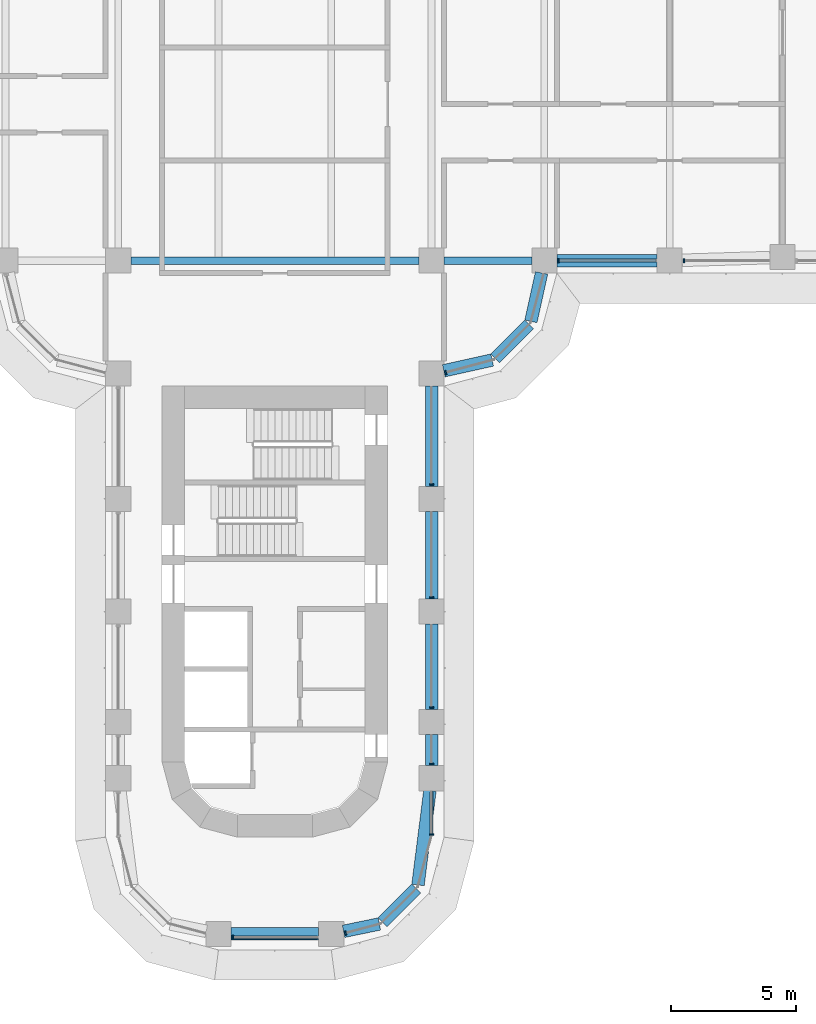
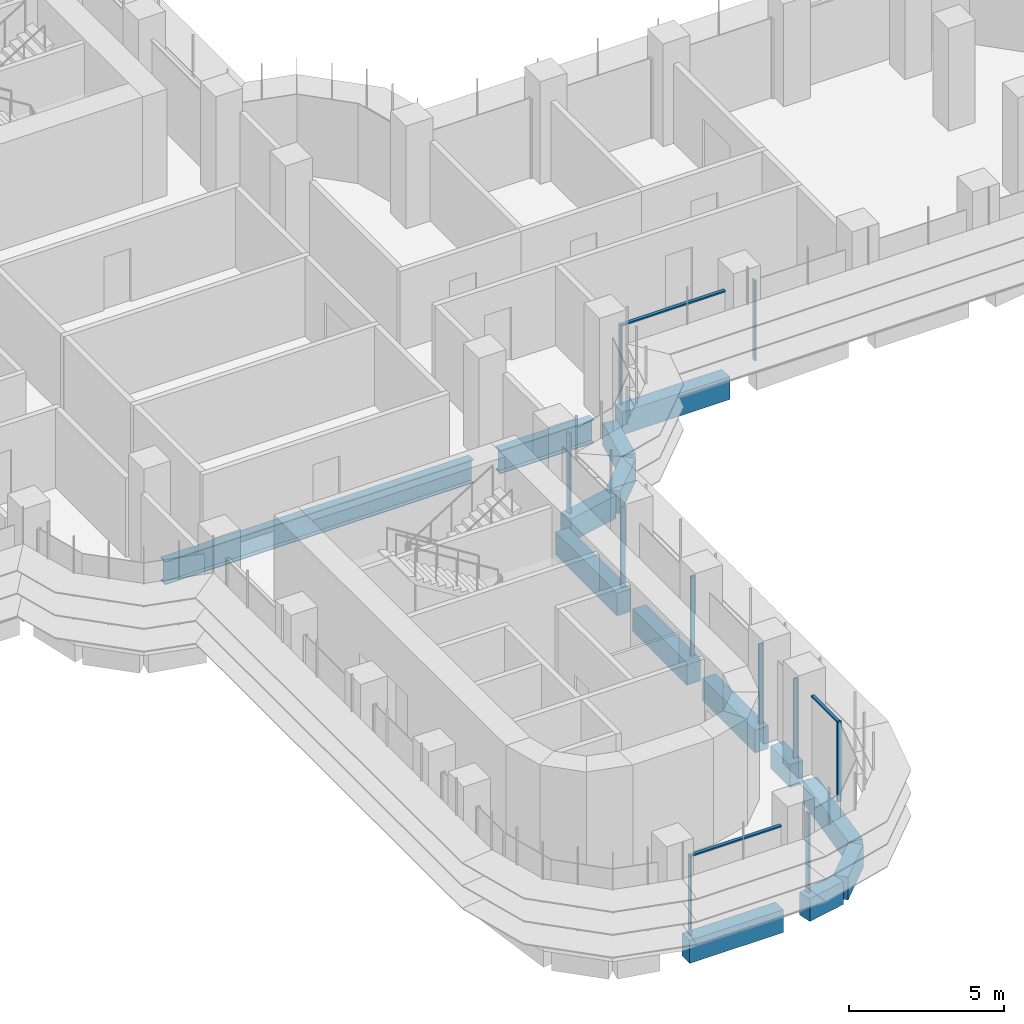
# One storey, part 4 of 23: 14 beams, 13 members, 5 elements without a shape of their own.
"""IFC4 building model written with IfcOpenShell, lengths in metres."""

from ifc_helpers import new_model, si_unit, direction, frame, origin, origin_2d, place, context, subcontext, project, spatial, polyline, rectangle, i_section, outline, extrude, source, transform, mapped, material, material_profile, profile_set, type_object, element, aggregate, save


model = new_model("IFC4")

# Units and contexts
model_context = context("Model", 3, precision=1e-05, world=origin(), true_north=direction((0.0, 1.0)))
body_context = subcontext(model_context, "Body", "Model", "MODEL_VIEW")
ifc_project = project(units=[si_unit("LENGTHUNIT", "METRE"), si_unit("AREAUNIT", "SQUARE_METRE"), si_unit("VOLUMEUNIT", "CUBIC_METRE"), si_unit("PLANEANGLEUNIT", "RADIAN"), si_unit("MASSUNIT", "GRAM", prefix="KILO")], contexts=[model_context])

# Site, building, storey
site_placement = place(None, origin())
site = spatial("IfcSite", under=ifc_project, at=site_placement, CompositionType="ELEMENT")
building_placement = place(site_placement, origin())
building = spatial("IfcBuilding", under=site, at=building_placement, Name="Zarbagh Exchange Tower", CompositionType="ELEMENT")
storey_placement = place(building_placement, frame((0.0, 0.0, 69.0)))
storey = spatial("IfcBuildingStorey", under=building, at=storey_placement, Name="L15", CompositionType="ELEMENT", Elevation=69.0)

# Beams
ifc_material_1 = material(Name="Steel ASTM A992 Gr 50", Category="steel")
ifc_material_profile_1 = material_profile(ifc_material_1, i_section(OverallWidth=0.3046875, OverallDepth=0.91943359375, WebThickness=0.017333984375, FlangeThickness=0.02783203125, at=origin_2d()), Name="W36X170")
ifc_profile_set_1 = profile_set([ifc_material_profile_1], Name="Steel ASTM A992 Gr 50")
beam_type_1 = type_object("IfcBeamType", Name="Floor girder W36X170", PredefinedType="BEAM", material=ifc_profile_set_1)
beam_1_placement = place(storey_placement, frame((-5.75, -6.25, -0.609619140625), z_axis=(1.0, 0.0, 0.0), x_axis=(0.0, 1.0, 0.0)))
element("IfcBeam", 1, at=beam_1_placement, inside=storey, type_object=beam_type_1, Name="Steel girder", PredefinedType="BEAM", context=body_context, shape_type="SweptSolid", body=[
    extrude(i_section(OverallWidth=0.3046875, OverallDepth=0.91943359375, WebThickness=0.017333984375, FlangeThickness=0.02783203125, at=origin_2d()), origin(), (0.0, 0.0, 1.0), 11.5),
])
beam_2_placement = place(storey_placement, frame((6.75, -6.25, -0.609619140625), z_axis=(1.0, 0.0, 0.0), x_axis=(0.0, 1.0, 0.0)))
element("IfcBeam", 2, at=beam_2_placement, inside=storey, type_object=beam_type_1, Name="Steel girder", PredefinedType="BEAM", context=body_context, shape_type="SweptSolid", body=[
    extrude(i_section(OverallWidth=0.3046875, OverallDepth=0.91943359375, WebThickness=0.017333984375, FlangeThickness=0.02783203125, at=origin_2d()), origin(), (0.0, 0.0, 1.0), 3.5),
])
ifc_material_2 = material(Name="Concrete C60/75", Category="concrete")
ifc_material_profile_2 = material_profile(ifc_material_2, rectangle(XDim=0.5, YDim=0.89990234375, at=origin_2d()), Name="RC spandrel beam 500 x 900 C60/75")
ifc_profile_set_2 = profile_set([ifc_material_profile_2], Name="Concrete C60/75")
beam_type_2 = type_object("IfcBeamType", Name="RC spandrel beam 500 x 900 C60/75", PredefinedType="SPANDREL", material=ifc_profile_set_2)
beam_3_placement = place(storey_placement, frame((15.25, -6.25, -0.60009765625), z_axis=(-1.0, 0.0, 0.0), x_axis=(0.0, -1.0, 0.0)))
element("IfcBeam", 3, at=beam_3_placement, inside=storey, type_object=beam_type_2, Name="RC spandrel beam", PredefinedType="SPANDREL", context=body_context, shape_type="SweptSolid", body=[
    extrude(rectangle(XDim=0.5, YDim=0.89990234375, at=origin_2d()), origin(), (0.0, 0.0, 1.0), 4.0),
])
beam_4_placement = place(storey_placement, frame((10.64208984375, -6.73828125, -0.60009765625), z_axis=(-0.216081063242, -0.976375426825, 0.0), x_axis=(0.976375426825, -0.216081063242, 0.0)))
element("IfcBeam", 4, at=beam_4_placement, inside=storey, type_object=beam_type_2, Name="RC spandrel beam", PredefinedType="SPANDREL", context=body_context, shape_type="SweptSolid", body=[
    extrude(rectangle(XDim=0.5, YDim=0.89990234375, at=origin_2d()), origin(), (0.0, 0.0, 1.0), 1.978271484375),
])
beam_5_placement = place(storey_placement, frame((10.147216796875, -8.792724609375, -0.60009765625), z_axis=(-0.707106781187, -0.707106781187, 0.0), x_axis=(0.707106781187, -0.707106781187, 0.0)))
element("IfcBeam", 5, at=beam_5_placement, inside=storey, type_object=beam_type_2, Name="RC spandrel beam", PredefinedType="SPANDREL", context=body_context, shape_type="SweptSolid", body=[
    extrude(rectangle(XDim=0.5, YDim=0.89990234375, at=origin_2d()), origin(), (0.0, 0.0, 1.0), 1.91552734375),
])
beam_6_placement = place(storey_placement, frame((8.669921875, -10.214599609375, -0.60009765625), z_axis=(-0.976375426825, -0.216081063242, 0.0), x_axis=(0.216081063242, -0.976375426825, 0.0)))
element("IfcBeam", 6, at=beam_6_placement, inside=storey, type_object=beam_type_2, Name="RC spandrel beam", PredefinedType="SPANDREL", context=body_context, shape_type="SweptSolid", body=[
    extrude(rectangle(XDim=0.5, YDim=0.89990234375, at=origin_2d()), origin(), (0.0, 0.0, 1.0), 1.978271484375),
])
beam_7_placement = place(storey_placement, frame((6.25, -11.25, -0.60009765625), z_axis=(0.0, -1.0, 0.0), x_axis=(1.0, 0.0, 0.0)))
element("IfcBeam", 7, at=beam_7_placement, inside=storey, type_object=beam_type_2, Name="RC spandrel beam", PredefinedType="SPANDREL", context=body_context, shape_type="SweptSolid", body=[
    extrude(rectangle(XDim=0.5, YDim=0.89990234375, at=origin_2d()), origin(), (0.0, 0.0, 1.0), 4.0),
])
beam_8_placement = place(storey_placement, frame((6.25, -16.25, -0.60009765625), z_axis=(0.0, -1.0, 0.0), x_axis=(1.0, 0.0, 0.0)))
element("IfcBeam", 8, at=beam_8_placement, inside=storey, type_object=beam_type_2, Name="RC spandrel beam", PredefinedType="SPANDREL", context=body_context, shape_type="SweptSolid", body=[
    extrude(rectangle(XDim=0.5, YDim=0.89990234375, at=origin_2d()), origin(), (0.0, 0.0, 1.0), 3.5),
])
beam_9_placement = place(storey_placement, frame((6.25, -20.75, -0.60009765625), z_axis=(0.0, -1.0, 0.0), x_axis=(1.0, 0.0, 0.0)))
element("IfcBeam", 9, at=beam_9_placement, inside=storey, type_object=beam_type_2, Name="RC spandrel beam", PredefinedType="SPANDREL", context=body_context, shape_type="SweptSolid", body=[
    extrude(rectangle(XDim=0.5, YDim=0.89990234375, at=origin_2d()), origin(), (0.0, 0.0, 1.0), 3.39990234375),
])
beam_10_placement = place(storey_placement, frame((6.25, -25.14990234375, -0.60009765625), z_axis=(0.0, -1.0, 0.0), x_axis=(1.0, 0.0, 0.0)))
element("IfcBeam", 10, at=beam_10_placement, inside=storey, type_object=beam_type_2, Name="RC spandrel beam", PredefinedType="SPANDREL", context=body_context, shape_type="SweptSolid", body=[
    extrude(rectangle(XDim=0.5, YDim=0.89990234375, at=origin_2d()), origin(), (0.0, 0.0, 1.0), 1.25),
])
beam_11_placement = place(storey_placement, frame((6.18701171875, -27.39599609375, -0.60009765625), z_axis=(-0.12591317752, -0.992041265133, 0.0), x_axis=(0.992041265133, -0.12591317752, 0.0)))
element("IfcBeam", 11, at=beam_11_placement, inside=storey, type_object=beam_type_2, Name="RC spandrel beam", PredefinedType="SPANDREL", context=body_context, shape_type="SweptSolid", body=[
    extrude(rectangle(XDim=0.5, YDim=0.89990234375, at=origin_2d()), origin(), (0.0, 0.0, 1.0), 3.790771484375),
])
beam_12_placement = place(storey_placement, frame((5.638427734375, -31.301513671875, -0.60009765625), z_axis=(-0.707042571718, -0.707170984825, 0.0), x_axis=(0.707170984825, -0.707042571718, 0.0)))
element("IfcBeam", 12, at=beam_12_placement, inside=storey, type_object=beam_type_2, Name="RC spandrel beam", PredefinedType="SPANDREL", context=body_context, shape_type="SweptSolid", body=[
    extrude(rectangle(XDim=0.5, YDim=0.89990234375, at=origin_2d()), origin(), (0.0, 0.0, 1.0), 1.901123046875),
])
beam_13_placement = place(storey_placement, frame((4.16796875, -32.714111328125, -0.60009765625), z_axis=(-0.9793713725, -0.202068589164, 0.0), x_axis=(0.202068589164, -0.9793713725, 0.0)))
element("IfcBeam", 13, at=beam_13_placement, inside=storey, type_object=beam_type_2, Name="RC spandrel beam", PredefinedType="SPANDREL", context=body_context, shape_type="SweptSolid", body=[
    extrude(rectangle(XDim=0.5, YDim=0.89990234375, at=origin_2d()), origin(), (0.0, 0.0, 1.0), 1.458251953125),
])
beam_14_placement = place(storey_placement, frame((1.75, -33.110107421875, -0.60009765625), z_axis=(-1.0, 0.0, 0.0), x_axis=(0.0, -1.0, 0.0)))
element("IfcBeam", 14, at=beam_14_placement, inside=storey, type_object=beam_type_2, Name="RC spandrel beam", PredefinedType="SPANDREL", context=body_context, shape_type="SweptSolid", body=[
    extrude(rectangle(XDim=0.5, YDim=0.89990234375, at=origin_2d()), origin(), (0.0, 0.0, 1.0), 3.5),
])

# Curtain wall, member
ifc_material_3 = material(Name="Anodised aluminium frame and glazing", Category="aluminium")
curtain_wall_type = type_object("IfcCurtainWallType", Name="CWA Ribbon glazing, lower zones", PredefinedType="NOTDEFINED", material=ifc_material_3)
curtain_wall_1_placement = place(storey_placement, origin())
curtain_wall_1 = element("IfcCurtainWall", 15, at=curtain_wall_1_placement, inside=storey, type_object=curtain_wall_type, Name="CWA01 curtain wall", PredefinedType="NOTDEFINED")
ifc_material_4 = material(Name="Anodised aluminium frame", Category="aluminium")
member_type_1 = type_object("IfcMemberType", Name="MUA Mullion, anodised aluminium frame", PredefinedType="MULLION", material=ifc_material_4)
shared_shape_1 = source(origin(), body_context, "Body", "SweptSolid", [
    extrude(outline(polyline([(0.0, -0.080078125), (0.06005859375, -0.080078125), (0.06005859375, 0.080078125), (0.0, 0.080078125), (0.0, -0.080078125)])), origin(), (0.0, 0.0, 1.0), 3.14990234375),
])
placement = place(storey_placement, origin())
member_1 = element("IfcMember", 16, at=placement, type_object=member_type_1, Name="CWA01 mullion 1.1", PredefinedType="MULLION", context=body_context, shape_type="MappedRepresentation", body=[
    mapped(shared_shape_1, transform((2.7900390625, -33.087646484375, 0.0), x_axis=(0.965924289636, 0.258824779902, 0.0), y_axis=(-0.258824779902, 0.965924289636, 0.0), z_axis=(0.0, 0.0, 1.0))),
])
aggregate(curtain_wall_1, [member_1])

# Curtain wall, members
curtain_wall_2_placement = place(storey_placement, origin())
curtain_wall_2 = element("IfcCurtainWall", 17, at=curtain_wall_2_placement, inside=storey, type_object=curtain_wall_type, Name="CWA04 curtain wall", PredefinedType="NOTDEFINED")
member_2 = element("IfcMember", 18, at=placement, type_object=member_type_1, Name="CWA04 mullion 1.1", PredefinedType="MULLION", context=body_context, shape_type="MappedRepresentation", body=[
    mapped(shared_shape_1, transform((6.25, -29.18408203125, 0.0), x_axis=(0.0, 1.0, 0.0), y_axis=(-1.0, 0.0, 0.0), z_axis=(0.0, 0.0, 1.0))),
])
member_3 = element("IfcMember", 19, at=placement, type_object=member_type_1, Name="CWA04 mullion 2.1", PredefinedType="MULLION", context=body_context, shape_type="MappedRepresentation", body=[
    mapped(shared_shape_1, transform((6.25, -26.35986328125, 0.0), x_axis=(0.0, 1.0, 0.0), y_axis=(-1.0, 0.0, 0.0), z_axis=(0.0, 0.0, 1.0))),
])
member_4 = element("IfcMember", 20, at=placement, type_object=member_type_1, Name="CWA04 mullion 3.1", PredefinedType="MULLION", context=body_context, shape_type="MappedRepresentation", body=[
    mapped(shared_shape_1, transform((6.25, -24.10986328125, 0.0), x_axis=(0.0, 1.0, 0.0), y_axis=(-1.0, 0.0, 0.0), z_axis=(0.0, 0.0, 1.0))),
])
member_5 = element("IfcMember", 21, at=placement, type_object=member_type_1, Name="CWA04 mullion 4.1", PredefinedType="MULLION", context=body_context, shape_type="MappedRepresentation", body=[
    mapped(shared_shape_1, transform((6.25, -19.7099609375, 0.0), x_axis=(0.0, 1.0, 0.0), y_axis=(-1.0, 0.0, 0.0), z_axis=(0.0, 0.0, 1.0))),
])
member_6 = element("IfcMember", 22, at=placement, type_object=member_type_1, Name="CWA04 mullion 5.1", PredefinedType="MULLION", context=body_context, shape_type="MappedRepresentation", body=[
    mapped(shared_shape_1, transform((6.25, -15.2099609375, 0.0), x_axis=(0.0, 1.0, 0.0), y_axis=(-1.0, 0.0, 0.0), z_axis=(0.0, 0.0, 1.0))),
])

# Curtain wall, member
curtain_wall_3_placement = place(storey_placement, origin())
curtain_wall_3 = element("IfcCurtainWall", 23, at=curtain_wall_3_placement, inside=storey, type_object=curtain_wall_type, Name="CWA05 curtain wall", PredefinedType="NOTDEFINED")
member_7 = element("IfcMember", 24, at=placement, type_object=member_type_1, Name="CWA05 mullion 1.1", PredefinedType="MULLION", context=body_context, shape_type="MappedRepresentation", body=[
    mapped(shared_shape_1, transform((6.7900390625, -10.7216796875, 0.0), x_axis=(0.965924289636, 0.258824779902, 0.0), y_axis=(-0.258824779902, 0.965924289636, 0.0), z_axis=(0.0, 0.0, 1.0))),
])
aggregate(curtain_wall_3, [member_7])

# Curtain wall, members
curtain_wall_4_placement = place(storey_placement, origin())
curtain_wall_4 = element("IfcCurtainWall", 25, at=curtain_wall_4_placement, inside=storey, type_object=curtain_wall_type, Name="CWA08 curtain wall", PredefinedType="NOTDEFINED")
member_8 = element("IfcMember", 26, at=placement, type_object=member_type_1, Name="CWA08 mullion 1.1", PredefinedType="MULLION", context=body_context, shape_type="MappedRepresentation", body=[
    mapped(shared_shape_1, transform((11.2900390625, -6.25, 0.0), x_axis=(1.0, 0.0, 0.0), y_axis=(0.0, 1.0, 0.0), z_axis=(0.0, 0.0, 1.0))),
])
member_9 = element("IfcMember", 27, at=placement, type_object=member_type_1, Name="CWA08 mullion 2.1", PredefinedType="MULLION", context=body_context, shape_type="MappedRepresentation", body=[
    mapped(shared_shape_1, transform((16.2900390625, -6.25, 0.0), x_axis=(1.0, 0.0, 0.0), y_axis=(0.0, 1.0, 0.0), z_axis=(0.0, 0.0, 1.0))),
])

# Curtain wall, member
curtain_wall_5_placement = place(storey_placement, origin())
curtain_wall_5 = element("IfcCurtainWall", 28, at=curtain_wall_5_placement, inside=storey, type_object=curtain_wall_type, Name="CWA48 curtain wall", PredefinedType="NOTDEFINED")
member_10 = element("IfcMember", 29, at=placement, type_object=member_type_1, Name="CWA48 mullion 1.1", PredefinedType="MULLION", context=body_context, shape_type="MappedRepresentation", body=[
    mapped(shared_shape_1, transform((-1.7099609375, -33.25, 0.0), x_axis=(1.0, 0.0, 0.0), y_axis=(0.0, 1.0, 0.0), z_axis=(0.0, 0.0, 1.0))),
])

# Member
member_type_2 = type_object("IfcMemberType", Name="TRA Transom, anodised aluminium frame", PredefinedType="USERDEFINED", material=ifc_material_4)
shared_shape_2 = source(origin(), body_context, "Body", "SweptSolid", [
    extrude(outline(polyline([(-0.06005859375, -0.06005859375), (0.0, -0.06005859375), (0.0, 0.06005859375), (-0.06005859375, 0.06005859375), (-0.06005859375, -0.06005859375)])), origin(), (0.0, 0.0, 1.0), 1.68408203125),
])
member_11 = element("IfcMember", 30, at=placement, type_object=member_type_2, Name="CWA04 transom 1.1", ObjectType="TRANSOM", PredefinedType="USERDEFINED", context=body_context, shape_type="MappedRepresentation", body=[
    mapped(shared_shape_2, transform((6.25, -29.124267578125, 3.14990234375), x_axis=(0.0, 0.0, 1.0), y_axis=(1.0, 0.0, 0.0), z_axis=(0.0, 1.0, 0.0))),
])

aggregate(curtain_wall_2, [member_2, member_11, member_3, member_4, member_5, member_6])

shared_shape_3 = source(origin(), body_context, "Body", "SweptSolid", [
    extrude(outline(polyline([(-0.06005859375, -0.06005859375), (0.0, -0.06005859375), (0.0, 0.06005859375), (-0.06005859375, 0.06005859375), (-0.06005859375, -0.06005859375)])), origin(), (0.0, 0.0, 1.0), 3.860107421875),
])
member_12 = element("IfcMember", 31, at=placement, type_object=member_type_2, Name="CWA08 transom 1.1", ObjectType="TRANSOM", PredefinedType="USERDEFINED", context=body_context, shape_type="MappedRepresentation", body=[
    mapped(shared_shape_3, transform((11.35009765625, -6.25, 3.14990234375), x_axis=(0.0, 0.0, 1.0), y_axis=(0.0, -1.0, 0.0), z_axis=(1.0, 0.0, 0.0))),
])

aggregate(curtain_wall_4, [member_8, member_12, member_9])

shared_shape_4 = source(origin(), body_context, "Body", "SweptSolid", [
    extrude(outline(polyline([(-0.06005859375, -0.06005859375), (0.0, -0.06005859375), (0.0, 0.06005859375), (-0.06005859375, 0.06005859375), (-0.06005859375, -0.06005859375)])), origin(), (0.0, 0.0, 1.0), 3.360107421875),
])
member_13 = element("IfcMember", 32, at=placement, type_object=member_type_2, Name="CWA48 transom 1.1", ObjectType="TRANSOM", PredefinedType="USERDEFINED", context=body_context, shape_type="MappedRepresentation", body=[
    mapped(shared_shape_4, transform((-1.64990234375, -33.25, 3.14990234375), x_axis=(0.0, 0.0, 1.0), y_axis=(0.0, -1.0, 0.0), z_axis=(1.0, 0.0, 0.0))),
])

aggregate(curtain_wall_5, [member_10, member_13])

save(model, "model.ifc")
